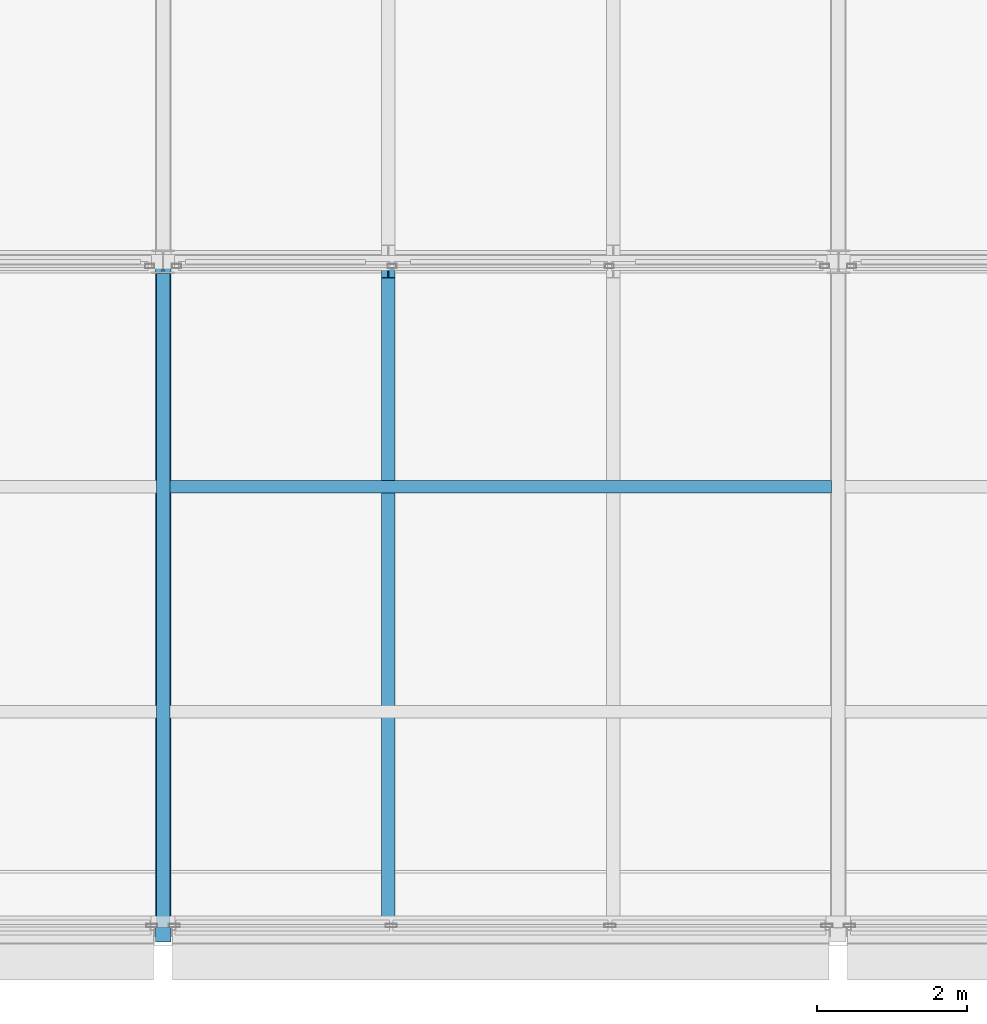
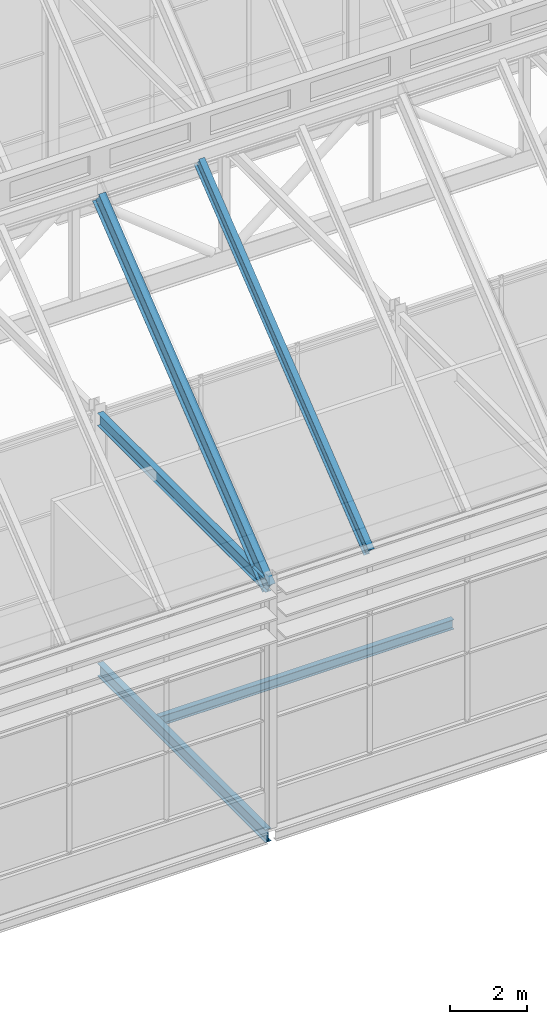
# One storey, part 26 of 144: 3 beams, 2 members.
"""IFC4 building model written with IfcOpenShell, lengths in metres."""

from ifc_helpers import new_model, si_unit, direction, frame, origin, origin_2d, place, context, subcontext, project, spatial, i_section, extrude, material, material_profile, profile_set, type_object, element, save


model = new_model("IFC4")

# Units and contexts
model_context = context("Model", 3, precision=1e-05, world=origin(), true_north=direction((0.0, 1.0)))
body_context = subcontext(model_context, "Body", "Model", "MODEL_VIEW")
ifc_project = project(units=[si_unit("LENGTHUNIT", "METRE"), si_unit("AREAUNIT", "SQUARE_METRE"), si_unit("VOLUMEUNIT", "CUBIC_METRE"), si_unit("PLANEANGLEUNIT", "RADIAN"), si_unit("MASSUNIT", "GRAM", prefix="KILO")], contexts=[model_context])

# Site, building, storey
site_placement = place(None, origin())
site = spatial("IfcSite", under=ifc_project, at=site_placement, CompositionType="ELEMENT")
building_placement = place(site_placement, origin())
building = spatial("IfcBuilding", under=site, at=building_placement, Name="Shorebreak Coast Museum", CompositionType="ELEMENT")
storey_placement = place(building_placement, frame((0.0, 0.0, 36.0)))
storey = spatial("IfcBuildingStorey", under=building, at=storey_placement, Name="L06", CompositionType="ELEMENT", Elevation=36.0)

# Beams
ifc_material_1 = material(Name="Steel Grade 300", Category="steel")
ifc_material_profile_1 = material_profile(ifc_material_1, i_section(OverallWidth=0.177978515625, OverallDepth=0.406494140625, WebThickness=0.0078125, FlangeThickness=0.0126953125, FilletRadius=0.011474609375, at=origin_2d()), Name="410UB59.7")
ifc_profile_set_1 = profile_set([ifc_material_profile_1], Name="Steel Grade 300")
beam_type_1 = type_object("IfcBeamType", Name="Floor girder north-south 410UB59.7", PredefinedType="BEAM", material=ifc_profile_set_1)
beam_1_placement = place(storey_placement, frame((72.0, 54.125, -0.378173828125), z_axis=(0.0, 1.0, 0.0), x_axis=(-1.0, 0.0, 0.0)))
element("IfcBeam", 1, at=beam_1_placement, inside=storey, type_object=beam_type_1, Name="Floor girder north-south L06 9G", PredefinedType="BEAM", context=body_context, shape_type="SweptSolid", body=[
    extrude(i_section(OverallWidth=0.177978515625, OverallDepth=0.406494140625, WebThickness=0.0078125, FlangeThickness=0.0126953125, FilletRadius=0.011474609375, at=origin_2d()), origin(), (0.0, 0.0, 1.0), 8.7177734375),
])
ifc_material_2 = material(Name="Steel Grade 300", Category="steel")
ifc_material_profile_2 = material_profile(ifc_material_2, i_section(OverallWidth=0.1650390625, OverallDepth=0.303955078125, WebThickness=0.006103515625, FlangeThickness=0.01025390625, FilletRadius=0.011474609375, at=origin_2d()), Name="310UB40.4")
ifc_profile_set_2 = profile_set([ifc_material_profile_2], Name="Steel Grade 300")
beam_type_2 = type_object("IfcBeamType", Name="Floor joist 310UB40.4", PredefinedType="JOIST", material=ifc_profile_set_2)
beam_2_placement = place(storey_placement, frame((72.089111328125, 60.0, -0.326904296875), z_axis=(1.0, 0.0, 0.0), x_axis=(0.0, 1.0, 0.0)))
element("IfcBeam", 2, at=beam_2_placement, inside=storey, type_object=beam_type_2, Name="Floor joist L06 bay 9G at 6000 mm", PredefinedType="JOIST", context=body_context, shape_type="SweptSolid", body=[
    extrude(i_section(OverallWidth=0.1650390625, OverallDepth=0.303955078125, WebThickness=0.006103515625, FlangeThickness=0.01025390625, FilletRadius=0.011474609375, at=origin_2d()), origin(), (0.0, 0.0, 1.0), 8.82177734375),
])

# Members
ifc_material_3 = material(Name="Steel Grade 300", Category="steel")
ifc_material_profile_3 = material_profile(ifc_material_3, i_section(OverallWidth=0.177978515625, OverallDepth=0.402587890625, WebThickness=0.007568359375, FlangeThickness=0.010986328125, FilletRadius=0.011474609375, at=origin_2d()), Name="410UB53.7")
ifc_profile_set_3 = profile_set([ifc_material_profile_3], Name="Steel Grade 300")
member_type_1 = type_object("IfcMemberType", Name="Fold rafter 410UB53.7", PredefinedType="RAFTER", material=ifc_profile_set_3)
member_1_placement = place(storey_placement, frame((75.0, 62.905029296875, 14.610107421875), z_axis=(0.0, -0.780866698312, -0.624697686459), x_axis=(1.0, 0.0, 0.0)))
element("IfcMember", 3, at=member_1_placement, inside=storey, type_object=member_type_1, Name="Fold rafter FOLD-X line 1 08", PredefinedType="RAFTER", context=body_context, shape_type="SweptSolid", body=[
    extrude(i_section(OverallWidth=0.177978515625, OverallDepth=0.402587890625, WebThickness=0.007568359375, FlangeThickness=0.010986328125, FilletRadius=0.011474609375, at=origin_2d()), origin(), (0.0, 0.0, 1.0), 11.282470703125),
])
ifc_material_4 = material(Name="Steel Grade 300", Category="steel")
ifc_material_profile_4 = material_profile(ifc_material_4, i_section(OverallWidth=0.208984375, OverallDepth=0.5283203125, WebThickness=0.009521484375, FlangeThickness=0.01318359375, FilletRadius=0.013916015625, at=origin_2d()), Name="530UB82.0")
ifc_profile_set_4 = profile_set([ifc_material_profile_4], Name="Steel Grade 300")
member_type_2 = type_object("IfcMemberType", Name="Fold rib rafter 530UB82.0", PredefinedType="RAFTER", material=ifc_profile_set_4)
member_2_placement = place(storey_placement, frame((72.0, 62.905029296875, 14.52978515625), z_axis=(0.0, -0.780866698312, -0.624697686459), x_axis=(1.0, 0.0, 0.0)))
element("IfcMember", 4, at=member_2_placement, inside=storey, type_object=member_type_2, Name="Fold rib rafter FOLD-X line 1 07", PredefinedType="RAFTER", context=body_context, shape_type="SweptSolid", body=[
    extrude(i_section(OverallWidth=0.208984375, OverallDepth=0.5283203125, WebThickness=0.009521484375, FlangeThickness=0.01318359375, FilletRadius=0.013916015625, at=origin_2d()), origin(), (0.0, 0.0, 1.0), 11.282470703125),
])

# Beam
ifc_material_5 = material(Name="Steel Grade 300", Category="steel")
ifc_material_profile_5 = material_profile(ifc_material_5, i_section(OverallWidth=0.177978515625, OverallDepth=0.402587890625, WebThickness=0.007568359375, FlangeThickness=0.010986328125, FilletRadius=0.011474609375, at=origin_2d()), Name="410UB53.7")
ifc_profile_set_5 = profile_set([ifc_material_profile_5], Name="Steel Grade 300")
beam_type_3 = type_object("IfcBeamType", Name="Fold rib tie 410UB53.7", PredefinedType="BEAM", material=ifc_profile_set_5)
beam_3_placement = place(storey_placement, frame((72.0, 54.125, 7.54248046875), z_axis=(0.0, 1.0, 0.0), x_axis=(-1.0, 0.0, 0.0)))
element("IfcBeam", 5, at=beam_3_placement, inside=storey, type_object=beam_type_3, Name="Fold rib tie FOLD-X rib 9 G-H", PredefinedType="BEAM", context=body_context, shape_type="SweptSolid", body=[
    extrude(i_section(OverallWidth=0.177978515625, OverallDepth=0.402587890625, WebThickness=0.007568359375, FlangeThickness=0.010986328125, FilletRadius=0.011474609375, at=origin_2d()), origin(), (0.0, 0.0, 1.0), 8.7177734375),
])

save(model, "model.ifc")
